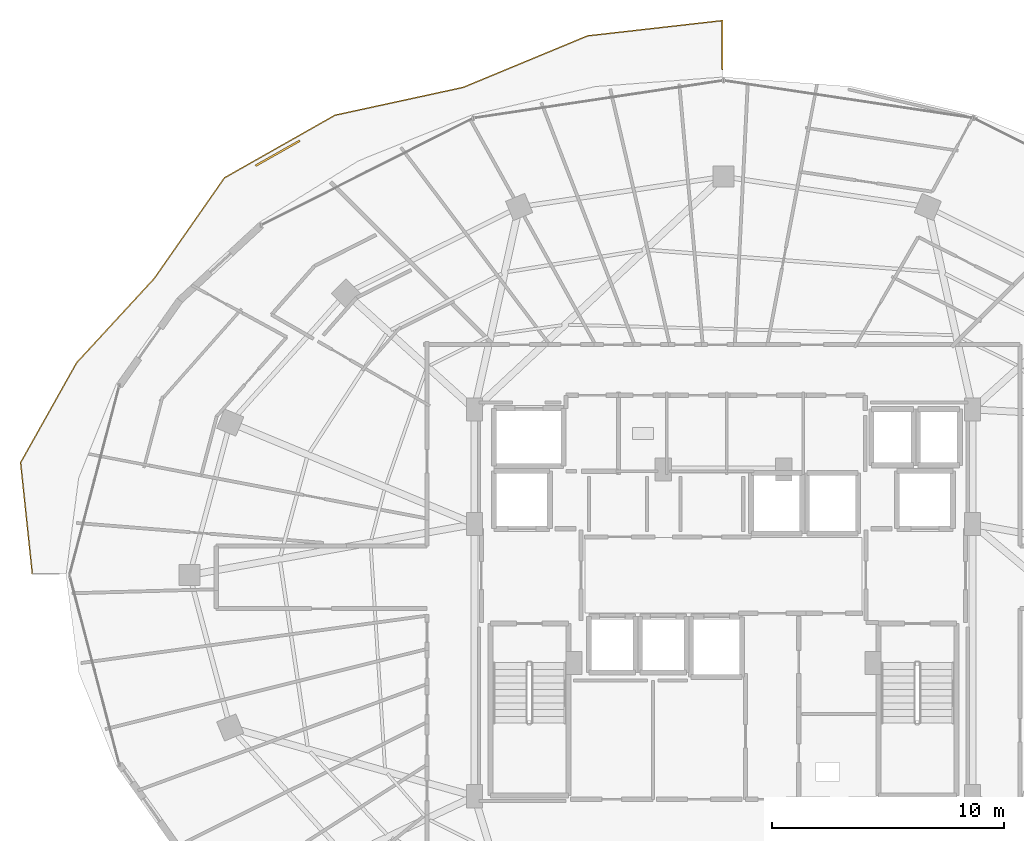
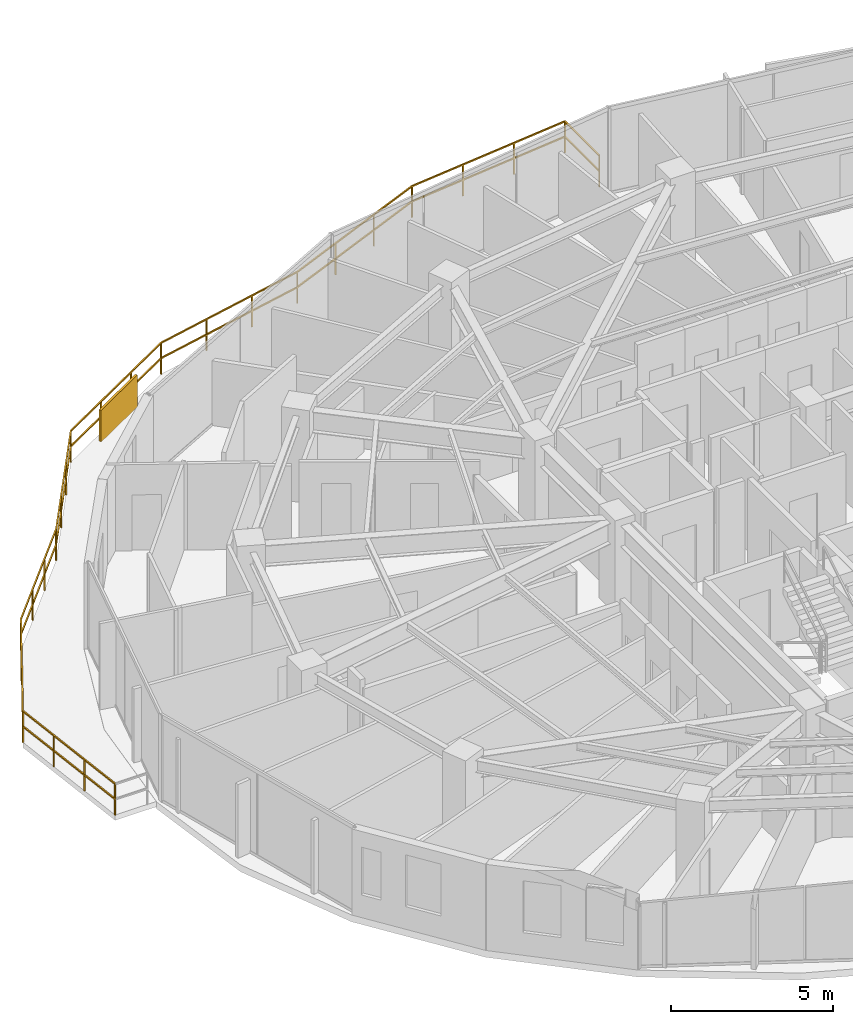
# One storey, part 32 of 33: 1 railing, 1 shading device.
"""IFC4 building model written with IfcOpenShell, lengths in metres."""

from ifc_helpers import new_model, si_unit, direction, frame, origin, origin_2d, place, context, subcontext, project, spatial, rectangle, extrude, material, type_object, element, save


model = new_model("IFC4")

# Units and contexts
model_context = context("Model", 3, precision=1e-05, world=origin(), true_north=direction((0.0, 1.0)))
body_context = subcontext(model_context, "Body", "Model", "MODEL_VIEW")
ifc_project = project(units=[si_unit("LENGTHUNIT", "METRE"), si_unit("AREAUNIT", "SQUARE_METRE"), si_unit("VOLUMEUNIT", "CUBIC_METRE"), si_unit("PLANEANGLEUNIT", "RADIAN"), si_unit("MASSUNIT", "GRAM", prefix="KILO")], contexts=[model_context])

# Site, building, storey
site_placement = place(None, origin())
site = spatial("IfcSite", under=ifc_project, at=site_placement, CompositionType="ELEMENT")
building_placement = place(site_placement, origin())
building = spatial("IfcBuilding", under=site, at=building_placement, Name="Vorneva Point Tower", CompositionType="ELEMENT")
storey_placement = place(building_placement, frame((0.0, 0.0, 189.60009765625)))
storey = spatial("IfcBuildingStorey", under=building, at=storey_placement, Name="L51", CompositionType="ELEMENT", Elevation=189.60009765625)

# Railing
ifc_material = material(Name="Pale anodised aluminium", Category="aluminium")
railing_type = type_object("IfcRailingType", Name="RL-BAL-1200", PredefinedType="BALUSTRADE", material=ifc_material)
railing_placement = place(storey_placement, frame((37.949951171875, 47.817138671875, 0.0)))
element("IfcRailing", 1, at=railing_placement, inside=storey, type_object=railing_type, Name="L51 Wave Balcony Balustrade NW.2", PredefinedType="BALUSTRADE", context=body_context, shape_type="SweptSolid", body=[
    extrude(rectangle(XDim=0.048095703125, YDim=0.048095703125, at=origin_2d()), frame((0.0, 0.0, 1.17578125), z_axis=(0.0, 1.0, 0.0), x_axis=(-1.0, 0.0, 0.0)), (0.0, 0.0, 1.0), 2.1220703125),
    extrude(rectangle(XDim=0.048095703125, YDim=0.048095703125, at=origin_2d()), frame((0.0, 0.0, 0.60009765625), z_axis=(0.0, 1.0, 0.0), x_axis=(-1.0, 0.0, 0.0)), (0.0, 0.0, 1.0), 2.1220703125),
    extrude(rectangle(XDim=0.048095703125, YDim=0.048095703125, at=origin_2d()), frame((0.0, 2.1220703125, 1.17578125), z_axis=(-0.993640825621, -0.112596223997, 0.0), x_axis=(0.112596223997, -0.993640825621, 0.0)), (0.0, 0.0, 1.0), 5.854248046875),
    extrude(rectangle(XDim=0.048095703125, YDim=0.048095703125, at=origin_2d()), frame((0.0, 2.1220703125, 0.60009765625), z_axis=(-0.993640825621, -0.112596223997, 0.0), x_axis=(0.112596223997, -0.993640825621, 0.0)), (0.0, 0.0, 1.0), 5.854248046875),
    extrude(rectangle(XDim=0.048095703125, YDim=0.048095703125, at=origin_2d()), frame((-5.817138671875, 1.462890625, 1.17578125), z_axis=(-0.92384832212, -0.382758772227, 0.0), x_axis=(0.382758772227, -0.92384832212, 0.0)), (0.0, 0.0, 1.0), 5.81005859375),
    extrude(rectangle(XDim=0.048095703125, YDim=0.048095703125, at=origin_2d()), frame((-5.817138671875, 1.462890625, 0.60009765625), z_axis=(-0.92384832212, -0.382758772227, 0.0), x_axis=(0.382758772227, -0.92384832212, 0.0)), (0.0, 0.0, 1.0), 5.81005859375),
    extrude(rectangle(XDim=0.048095703125, YDim=0.048095703125, at=origin_2d()), frame((-11.184814453125, -0.760986328125, 1.17578125), z_axis=(-0.977262278144, -0.212034053201, 0.0), x_axis=(0.212034053201, -0.977262278144, 0.0)), (0.0, 0.0, 1.0), 5.66259765625),
    extrude(rectangle(XDim=0.048095703125, YDim=0.048095703125, at=origin_2d()), frame((-11.184814453125, -0.760986328125, 0.60009765625), z_axis=(-0.977262278144, -0.212034053201, 0.0), x_axis=(0.212034053201, -0.977262278144, 0.0)), (0.0, 0.0, 1.0), 5.66259765625),
    extrude(rectangle(XDim=0.048095703125, YDim=0.048095703125, at=origin_2d()), frame((-16.71875, -1.961669921875, 1.17578125), z_axis=(-0.870193875648, -0.492709466912, 0.0), x_axis=(0.492709466912, -0.870193875648, 0.0)), (0.0, 0.0, 1.0), 5.48779296875),
    extrude(rectangle(XDim=0.048095703125, YDim=0.048095703125, at=origin_2d()), frame((-16.71875, -1.961669921875, 0.60009765625), z_axis=(-0.870193875648, -0.492709466912, 0.0), x_axis=(0.492709466912, -0.870193875648, 0.0)), (0.0, 0.0, 1.0), 5.48779296875),
    extrude(rectangle(XDim=0.048095703125, YDim=0.048095703125, at=origin_2d()), frame((-21.494140625, -4.66552734375, 1.17578125), z_axis=(-0.572063356747, -0.820209434149, 0.0), x_axis=(0.820209434149, -0.572063356747, 0.0)), (0.0, 0.0, 1.0), 5.297119140625),
    extrude(rectangle(XDim=0.048095703125, YDim=0.048095703125, at=origin_2d()), frame((-21.494140625, -4.66552734375, 0.60009765625), z_axis=(-0.572063356747, -0.820209434149, 0.0), x_axis=(0.820209434149, -0.572063356747, 0.0)), (0.0, 0.0, 1.0), 5.297119140625),
    extrude(rectangle(XDim=0.048095703125, YDim=0.048095703125, at=origin_2d()), frame((-24.5244140625, -9.01025390625, 1.17578125), z_axis=(-0.677483472958, -0.73553799621, 0.0), x_axis=(0.73553799621, -0.677483472958, 0.0)), (0.0, 0.0, 1.0), 4.953857421875),
    extrude(rectangle(XDim=0.048095703125, YDim=0.048095703125, at=origin_2d()), frame((-24.5244140625, -9.01025390625, 0.60009765625), z_axis=(-0.677483472958, -0.73553799621, 0.0), x_axis=(0.73553799621, -0.677483472958, 0.0)), (0.0, 0.0, 1.0), 4.953857421875),
    extrude(rectangle(XDim=0.048095703125, YDim=0.048095703125, at=origin_2d()), frame((-27.880615234375, -12.654052734375, 1.17578125), z_axis=(-0.488979555441, -0.872295244949, 0.0), x_axis=(0.872295244949, -0.488979555441, 0.0)), (0.0, 0.0, 1.0), 4.93994140625),
    extrude(rectangle(XDim=0.048095703125, YDim=0.048095703125, at=origin_2d()), frame((-27.880615234375, -12.654052734375, 0.60009765625), z_axis=(-0.488979555441, -0.872295244949, 0.0), x_axis=(0.872295244949, -0.488979555441, 0.0)), (0.0, 0.0, 1.0), 4.93994140625),
    extrude(rectangle(XDim=0.048095703125, YDim=0.048095703125, at=origin_2d()), frame((-30.296142578125, -16.963134765625, 1.17578125), z_axis=(0.104721617299, -0.994501575097, 0.0), x_axis=(0.994501575097, 0.104721617299, 0.0)), (0.0, 0.0, 1.0), 4.83056640625),
    extrude(rectangle(XDim=0.048095703125, YDim=0.048095703125, at=origin_2d()), frame((-30.296142578125, -16.963134765625, 0.60009765625), z_axis=(0.104721617299, -0.994501575097, 0.0), x_axis=(0.994501575097, 0.104721617299, 0.0)), (0.0, 0.0, 1.0), 4.83056640625),
    extrude(rectangle(XDim=0.0419921875, YDim=0.0419921875, at=origin_2d()), origin(), (0.0, 0.0, 1.0), 1.15185546875),
    extrude(rectangle(XDim=0.0419921875, YDim=0.0419921875, at=origin_2d()), frame((0.0, 2.1220703125, 0.0)), (0.0, 0.0, 1.0), 1.15185546875),
    extrude(rectangle(XDim=0.0419921875, YDim=0.0419921875, at=origin_2d()), frame((-1.93896484375, 1.90234375, 0.0)), (0.0, 0.0, 1.0), 1.15185546875),
    extrude(rectangle(XDim=0.0419921875, YDim=0.0419921875, at=origin_2d()), frame((-3.878173828125, 1.6826171875, 0.0)), (0.0, 0.0, 1.0), 1.15185546875),
    extrude(rectangle(XDim=0.0419921875, YDim=0.0419921875, at=origin_2d()), frame((-5.817138671875, 1.462890625, 0.0)), (0.0, 0.0, 1.0), 1.15185546875),
    extrude(rectangle(XDim=0.0419921875, YDim=0.0419921875, at=origin_2d()), frame((-7.6064453125, 0.7216796875, 0.0)), (0.0, 0.0, 1.0), 1.15185546875),
    extrude(rectangle(XDim=0.0419921875, YDim=0.0419921875, at=origin_2d()), frame((-9.3955078125, -0.019775390625, 0.0)), (0.0, 0.0, 1.0), 1.15185546875),
    extrude(rectangle(XDim=0.0419921875, YDim=0.0419921875, at=origin_2d()), frame((-11.184814453125, -0.760986328125, 0.0)), (0.0, 0.0, 1.0), 1.15185546875),
    extrude(rectangle(XDim=0.0419921875, YDim=0.0419921875, at=origin_2d()), frame((-13.029541015625, -1.1611328125, 0.0)), (0.0, 0.0, 1.0), 1.15185546875),
    extrude(rectangle(XDim=0.0419921875, YDim=0.0419921875, at=origin_2d()), frame((-14.8740234375, -1.5615234375, 0.0)), (0.0, 0.0, 1.0), 1.15185546875),
    extrude(rectangle(XDim=0.0419921875, YDim=0.0419921875, at=origin_2d()), frame((-16.71875, -1.961669921875, 0.0)), (0.0, 0.0, 1.0), 1.15185546875),
    extrude(rectangle(XDim=0.0419921875, YDim=0.0419921875, at=origin_2d()), frame((-18.310546875, -2.863037109375, 0.0)), (0.0, 0.0, 1.0), 1.15185546875),
    extrude(rectangle(XDim=0.0419921875, YDim=0.0419921875, at=origin_2d()), frame((-19.90234375, -3.76416015625, 0.0)), (0.0, 0.0, 1.0), 1.15185546875),
    extrude(rectangle(XDim=0.0419921875, YDim=0.0419921875, at=origin_2d()), frame((-21.494140625, -4.66552734375, 0.0)), (0.0, 0.0, 1.0), 1.15185546875),
    extrude(rectangle(XDim=0.0419921875, YDim=0.0419921875, at=origin_2d()), frame((-22.504150390625, -6.11376953125, 0.0)), (0.0, 0.0, 1.0), 1.15185546875),
    extrude(rectangle(XDim=0.0419921875, YDim=0.0419921875, at=origin_2d()), frame((-23.514404296875, -7.56201171875, 0.0)), (0.0, 0.0, 1.0), 1.15185546875),
    extrude(rectangle(XDim=0.0419921875, YDim=0.0419921875, at=origin_2d()), frame((-24.5244140625, -9.01025390625, 0.0)), (0.0, 0.0, 1.0), 1.15185546875),
    extrude(rectangle(XDim=0.0419921875, YDim=0.0419921875, at=origin_2d()), frame((-25.64306640625, -10.224853515625, 0.0)), (0.0, 0.0, 1.0), 1.15185546875),
    extrude(rectangle(XDim=0.0419921875, YDim=0.0419921875, at=origin_2d()), frame((-26.761962890625, -11.439453125, 0.0)), (0.0, 0.0, 1.0), 1.15185546875),
    extrude(rectangle(XDim=0.0419921875, YDim=0.0419921875, at=origin_2d()), frame((-27.880615234375, -12.654052734375, 0.0)), (0.0, 0.0, 1.0), 1.15185546875),
    extrude(rectangle(XDim=0.0419921875, YDim=0.0419921875, at=origin_2d()), frame((-28.685791015625, -14.09033203125, 0.0)), (0.0, 0.0, 1.0), 1.15185546875),
    extrude(rectangle(XDim=0.0419921875, YDim=0.0419921875, at=origin_2d()), frame((-29.490966796875, -15.52685546875, 0.0)), (0.0, 0.0, 1.0), 1.15185546875),
    extrude(rectangle(XDim=0.0419921875, YDim=0.0419921875, at=origin_2d()), frame((-30.296142578125, -16.963134765625, 0.0)), (0.0, 0.0, 1.0), 1.15185546875),
    extrude(rectangle(XDim=0.0419921875, YDim=0.0419921875, at=origin_2d()), frame((-30.12744140625, -18.564453125, 0.0)), (0.0, 0.0, 1.0), 1.15185546875),
    extrude(rectangle(XDim=0.0419921875, YDim=0.0419921875, at=origin_2d()), frame((-29.958984375, -20.165771484375, 0.0)), (0.0, 0.0, 1.0), 1.15185546875),
    extrude(rectangle(XDim=0.0419921875, YDim=0.0419921875, at=origin_2d()), frame((-29.790283203125, -21.76708984375, 0.0)), (0.0, 0.0, 1.0), 1.15185546875),
])

# Shading device
shading_device_type = type_object("IfcShadingDeviceType", Name="SHD-JAL-1200", PredefinedType="JALOUSIE", material=ifc_material)
shading_device_placement = place(storey_placement, frame((18.75439453125, 44.211181640625, -0.02001953125), z_axis=(0.0, 0.0, 1.0), x_axis=(-0.87020955262, -0.492681778158, 0.0)))
element("IfcShadingDevice", 2, at=shading_device_placement, inside=storey, type_object=shading_device_type, Name="L51 Balcony Vertical-Greenery Planter Screen NW.2", PredefinedType="JALOUSIE", context=body_context, shape_type="SweptSolid", body=[
    extrude(rectangle(XDim=2.199951171875, YDim=0.080078125, at=origin_2d()), origin(), (0.0, 0.0, 1.0), 1.199951171875),
])

save(model, "model.ifc")
